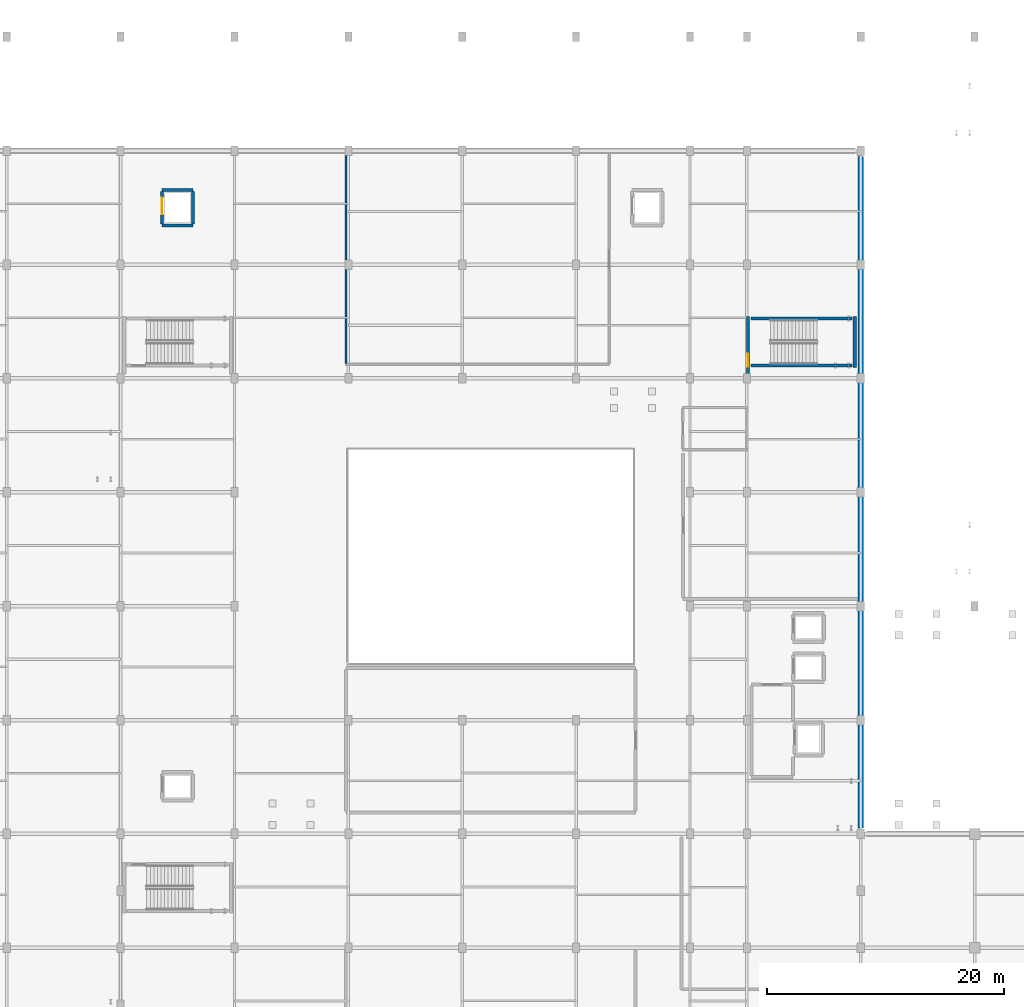
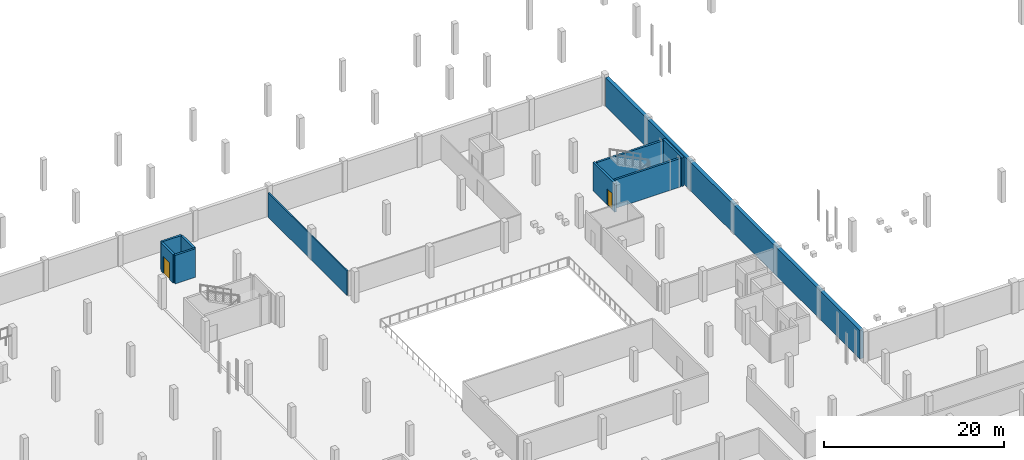
# One storey, part 34 of 47: 10 walls, 2 doors, 2 openings.
"""IFC4 building model written with IfcOpenShell, lengths in metres."""

from ifc_helpers import new_model, si_unit, direction, frame, frame_2d, origin, place, context, subcontext, project, spatial, rectangle, extrude, material, layer, layer_set, type_object, element, fill, save


model = new_model("IFC4")

# Units and contexts
model_context = context("Model", 3, precision=1e-05, world=origin(), true_north=direction((0.0, 1.0)))
body_context = subcontext(model_context, "Body", "Model", "MODEL_VIEW")
ifc_project = project(units=[si_unit("LENGTHUNIT", "METRE"), si_unit("AREAUNIT", "SQUARE_METRE"), si_unit("VOLUMEUNIT", "CUBIC_METRE"), si_unit("PLANEANGLEUNIT", "RADIAN"), si_unit("MASSUNIT", "GRAM", prefix="KILO")], contexts=[model_context])

# Site, building, storey
site_placement = place(None, origin())
site = spatial("IfcSite", under=ifc_project, at=site_placement, CompositionType="ELEMENT")
building_placement = place(site_placement, origin())
building = spatial("IfcBuilding", under=site, at=building_placement, Name="Zevrakil Square Congress Hotel", CompositionType="ELEMENT")
storey_placement = place(building_placement, frame((0.0, 0.0, -4.199951171875)))
storey = spatial("IfcBuildingStorey", under=building, at=storey_placement, Name="B1", CompositionType="ELEMENT", Elevation=-4.199951171875)

# Walls
ifc_material_1 = material(Name="Gypsum Acoustic Stud Partition")
ifc_layer_1 = layer(ifc_material_1, 0.159912109375)
ifc_layer_set_1 = layer_set([ifc_layer_1], Name="Gypsum Acoustic Stud Partition")
wall_type_1 = type_object("IfcWallType", Name="WAL-CORR-160", PredefinedType="PARTITIONING", material=ifc_layer_set_1)
wall_1_placement = place(storey_placement, frame((74.199951171875, 85.284912109375, 0.0), z_axis=(0.0, 0.0, 1.0), x_axis=(0.0, 1.0, 0.0)))
element("IfcWall", 1, at=wall_1_placement, inside=storey, type_object=wall_type_1, Name="B1 interior partition PW-B1-0113", PredefinedType="PARTITIONING", context=body_context, shape_type="SweptSolid", body=[
    extrude(rectangle(XDim=17.580078125, YDim=0.159912109375, at=frame_2d((8.7900390625, 0.0))), origin(), (0.0, 0.0, 1.0), 3.324951171875),
])
ifc_material_2 = material(Name="Concrete C40/50", Category="concrete")
ifc_layer_2 = layer(ifc_material_2, 0.449951171875)
ifc_layer_set_2 = layer_set([ifc_layer_2], Name="Concrete C40/50")
wall_type_2 = type_object("IfcWallType", Name="WAL-RET-450", PredefinedType="SOLIDWALL", material=ifc_layer_set_2)
wall_2_placement = place(storey_placement, frame((117.60009765625, 46.10009765625, 0.0), z_axis=(0.0, 0.0, 1.0), x_axis=(0.0, 1.0, 0.0)))
element("IfcWall", 2, at=wall_2_placement, inside=storey, type_object=wall_type_2, Name="B1 perimeter concrete retaining wall 4", PredefinedType="SOLIDWALL", context=body_context, shape_type="SweptSolid", body=[
    extrude(rectangle(XDim=56.599853515625, YDim=0.449951171875, at=frame_2d((28.2998046875, 0.0))), origin(), (0.0, 0.0, 1.0), 3.8798828125),
])

# Wall, opening, door
ifc_material_3 = material(Name="Concrete C40/50", Category="concrete")
ifc_layer_3 = layer(ifc_material_3, 0.260009765625)
ifc_layer_set_3 = layer_set([ifc_layer_3], Name="Concrete C40/50")
wall_type_3 = type_object("IfcWallType", Name="WAL-SHAFT-260", PredefinedType="SHEAR", material=ifc_layer_set_3)
wall_3_placement = place(storey_placement, frame((108.10498046875, 84.3798828125, 0.0), z_axis=(0.0, 0.0, 1.0), x_axis=(0.0, 1.0, 0.0)))
wall_3 = element("IfcWall", 3, at=wall_3_placement, inside=storey, type_object=wall_type_3, Name="B1 ST06 stair shaft W wall", PredefinedType="SHEAR", context=body_context, shape_type="SweptSolid", body=[
    extrude(rectangle(XDim=4.830078125, YDim=0.260009765625, at=frame_2d((2.4150390625, 0.0))), origin(), (0.0, 0.0, 1.0), 3.8798828125),
])
opening_1_placement = place(wall_3_placement, frame((0.610107421875, 0.0, 0.0)))
opening_1 = element("IfcOpeningElement", 4, at=opening_1_placement, cuts=wall_3, Name="Opening SD-ST06", PredefinedType="OPENING", context=body_context, shape_type="SweptSolid", body=[
    extrude(rectangle(XDim=1.10009765625, YDim=2.199951171875, at=frame_2d((0.550048828125, 1.10009765625))), frame((0.0, 0.14013671875, 0.0), z_axis=(0.0, -1.0, 0.0), x_axis=(1.0, 0.0, 0.0)), (0.0, 0.0, 1.0), 0.280029296875),
])
ifc_material_4 = material(Name="Steel S355 Fire-Rated Door", Category="steel")
door_type_1 = type_object("IfcDoorType", Name="DOR-STAIR-FD90-110", OperationType="NOTDEFINED", PredefinedType="DOOR", material=ifc_material_4)
door_1_placement = place(opening_1_placement, origin())
door_1 = element("IfcDoor", 5, at=door_1_placement, inside=storey, type_object=door_type_1, Name="B1 ST06 protected stair fire door", OperationType="SINGLE_SWING_RIGHT", OverallHeight=2.199951171875, OverallWidth=1.10009765625, PredefinedType="DOOR", context=body_context, shape_type="SweptSolid", body=[
    extrude(rectangle(XDim=1.10009765625, YDim=2.199951171875, at=frame_2d((0.550048828125, 1.10009765625))), frame((0.0, 0.02490234375, 0.0), z_axis=(0.0, -1.0, 0.0), x_axis=(1.0, 0.0, 0.0)), (0.0, 0.0, 1.0), 0.050048828125),
])
fill(opening_1, door_1)

# Walls
wall_4_placement = place(storey_placement, frame((117.094970703125, 84.93994140625, 0.0), z_axis=(0.0, 0.0, 1.0), x_axis=(0.0, 1.0, 0.0)))
element("IfcWall", 6, at=wall_4_placement, inside=storey, type_object=wall_type_3, Name="B1 ST06 stair shaft E wall", PredefinedType="SHEAR", context=body_context, shape_type="SweptSolid", body=[
    extrude(rectangle(XDim=4.27001953125, YDim=0.260009765625, at=frame_2d((2.135009765625, 0.0))), origin(), (0.0, 0.0, 1.0), 3.8798828125),
])
for number, where, z_axis, x_axis, name in (
    (7, (108.340087890625, 85.10498046875, 0.0), (0.0, 0.0, 1.0), (1.0, 0.0, 0.0), "B1 ST06 stair shaft S wall"),
    (8, (108.340087890625, 89.044921875, 0.0), (0.0, 0.0, 1.0), (1.0, 0.0, 0.0), "B1 ST06 stair shaft N wall"),
):
    element("IfcWall", number, at=place(storey_placement, frame(where, z_axis=z_axis, x_axis=x_axis)), inside=storey, type_object=wall_type_3, Name=name, PredefinedType="SHEAR", context=body_context, shape_type="SweptSolid", body=[
        extrude(rectangle(XDim=8.52001953125, YDim=0.260009765625, at=frame_2d((4.260009765625, 0.0))), origin(), (0.0, 0.0, 1.0), 3.8798828125),
    ])
for number, where, z_axis, x_axis, name in (
    (9, (58.699951171875, 96.89990234375, 0.0), (0.0, 0.0, 1.0), (1.0, 0.0, 0.0), "B1 SL2 lift shaft wall"),
    (10, (58.699951171875, 99.89990234375, 0.0), (0.0, 0.0, 1.0), (1.0, 0.0, 0.0), "B1 SL2 lift shaft wall"),
):
    element("IfcWall", number, at=place(storey_placement, frame(where, z_axis=z_axis, x_axis=x_axis)), inside=storey, type_object=wall_type_3, Name=name, PredefinedType="SHEAR", context=body_context, shape_type="SweptSolid", body=[
        extrude(rectangle(XDim=2.60009765625, YDim=0.260009765625, at=frame_2d((1.300048828125, 0.0))), origin(), (0.0, 0.0, 1.0), 3.8798828125),
    ])

# Wall, opening, door
wall_5_placement = place(storey_placement, frame((58.699951171875, 97.0400390625, 0.0), z_axis=(0.0, 0.0, 1.0), x_axis=(0.0, 1.0, 0.0)))
wall_5 = element("IfcWall", 11, at=wall_5_placement, inside=storey, type_object=wall_type_3, Name="B1 SL2 lift shaft wall", PredefinedType="SHEAR", context=body_context, shape_type="SweptSolid", body=[
    extrude(rectangle(XDim=2.719970703125, YDim=0.260009765625, at=frame_2d((1.35986328125, 0.0))), origin(), (0.0, 0.0, 1.0), 3.8798828125),
])
opening_2_placement = place(wall_5_placement, frame((0.800048828125, 0.0, 0.0)))
opening_2 = element("IfcOpeningElement", 12, at=opening_2_placement, cuts=wall_5, Name="Opening LD-SL2", PredefinedType="OPENING", context=body_context, shape_type="SweptSolid", body=[
    extrude(rectangle(XDim=1.39990234375, YDim=2.300048828125, at=frame_2d((0.699951171875, 1.14990234375))), frame((0.0, 0.14013671875, 0.0), z_axis=(0.0, -1.0, 0.0), x_axis=(1.0, 0.0, 0.0)), (0.0, 0.0, 1.0), 0.280029296875),
])
ifc_material_5 = material(Name="Goods Service Sliding Landing Door")
door_type_2 = type_object("IfcDoorType", Name="DOR-LIFT-LD140", OperationType="NOTDEFINED", PredefinedType="DOOR", material=ifc_material_5)
door_2_placement = place(opening_2_placement, origin())
door_2 = element("IfcDoor", 13, at=door_2_placement, inside=storey, type_object=door_type_2, Name="B1 SL2 sliding lift landing door", OperationType="SLIDING_TO_RIGHT", OverallHeight=2.300048828125, OverallWidth=1.39990234375, PredefinedType="DOOR", context=body_context, shape_type="SweptSolid", body=[
    extrude(rectangle(XDim=1.39990234375, YDim=2.300048828125, at=frame_2d((0.699951171875, 1.14990234375))), frame((0.0, 0.02490234375, 0.0), z_axis=(0.0, -1.0, 0.0), x_axis=(1.0, 0.0, 0.0)), (0.0, 0.0, 1.0), 0.050048828125),
])
fill(opening_2, door_2)

# Wall
wall_6_placement = place(storey_placement, frame((61.300048828125, 97.0400390625, 0.0), z_axis=(0.0, 0.0, 1.0), x_axis=(0.0, 1.0, 0.0)))
element("IfcWall", 14, at=wall_6_placement, inside=storey, type_object=wall_type_3, Name="B1 SL2 lift shaft wall", PredefinedType="SHEAR", context=body_context, shape_type="SweptSolid", body=[
    extrude(rectangle(XDim=2.719970703125, YDim=0.260009765625, at=frame_2d((1.35986328125, 0.0))), origin(), (0.0, 0.0, 1.0), 3.8798828125),
])

save(model, "model.ifc")
